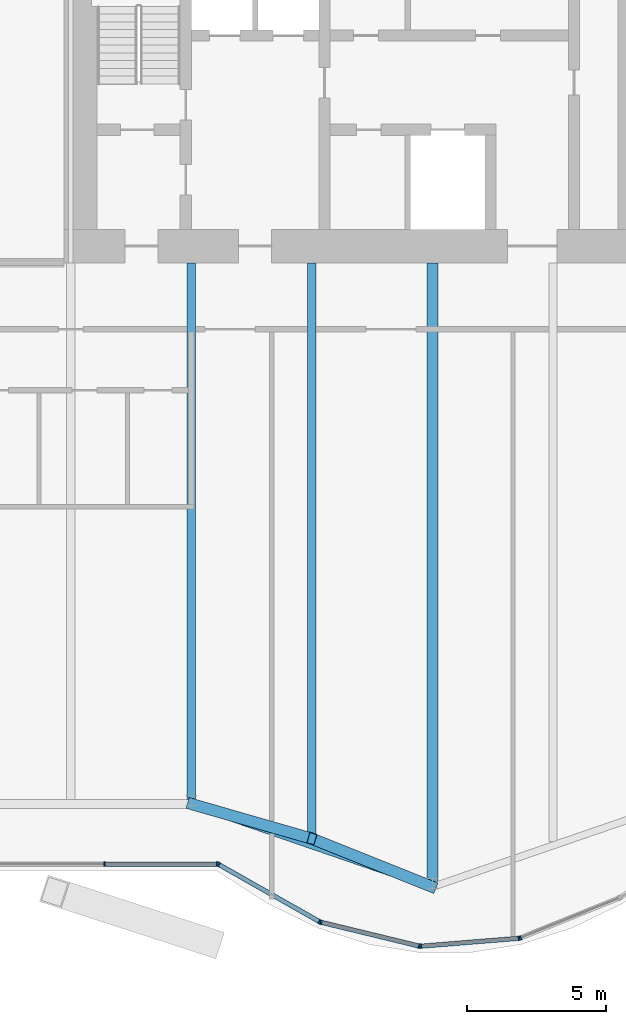
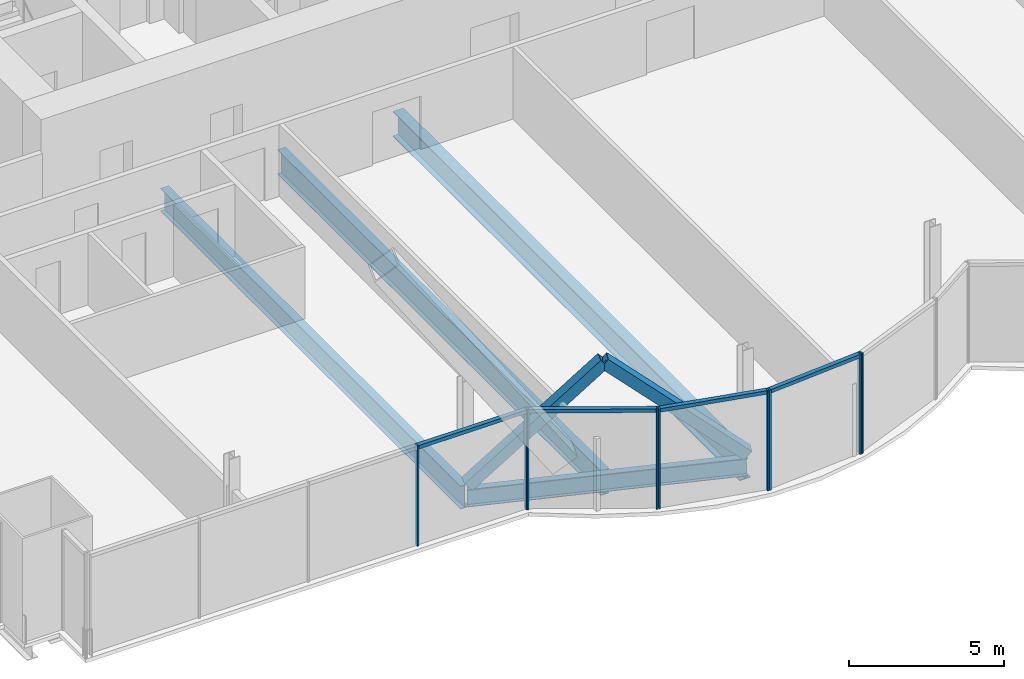
# One storey, part 7 of 24: 15 members, 4 beams, 2 elements without a shape of their own.
"""IFC4 building model written with IfcOpenShell, lengths in metres."""

from ifc_helpers import new_model, si_unit, direction, frame, origin, origin_2d, place, context, subcontext, project, spatial, rectangle, hollow_rectangle, i_section, extrude, material, material_profile, profile_set, type_object, element, aggregate, save


model = new_model("IFC4")

# Units and contexts
model_context = context("Model", 3, precision=1e-05, world=origin(), true_north=direction((0.0, 1.0)))
body_context = subcontext(model_context, "Body", "Model", "MODEL_VIEW")
ifc_project = project(units=[si_unit("LENGTHUNIT", "METRE"), si_unit("AREAUNIT", "SQUARE_METRE"), si_unit("VOLUMEUNIT", "CUBIC_METRE"), si_unit("PLANEANGLEUNIT", "RADIAN"), si_unit("MASSUNIT", "GRAM", prefix="KILO")], contexts=[model_context])

# Site, building, storey
site_placement = place(None, origin())
site = spatial("IfcSite", under=ifc_project, at=site_placement, CompositionType="ELEMENT")
building_placement = place(site_placement, origin())
building = spatial("IfcBuilding", under=site, at=building_placement, Name="Bicima Exchange Tower", CompositionType="ELEMENT")
storey_placement = place(building_placement, frame((0.0, 0.0, 160.89990234375)))
storey = spatial("IfcBuildingStorey", under=building, at=storey_placement, Name="L35", CompositionType="ELEMENT", Elevation=160.89990234375)

# Beams
ifc_material_1 = material(Name="Steel ASTM A992 Gr 50", Category="steel")
ifc_material_profile_1 = material_profile(ifc_material_1, i_section(OverallWidth=0.3046875, OverallDepth=0.904296875, WebThickness=0.01513671875, FlangeThickness=0.02001953125, at=origin_2d()))
ifc_profile_set_1 = profile_set([ifc_material_profile_1], Name="Steel ASTM A992 Gr 50")
beam_type_1 = type_object("IfcBeamType", Name="Floor beam W36x135", PredefinedType="JOIST", material=ifc_profile_set_1)
beam_1_placement = place(storey_placement, frame((-17.39990234375, -13.0, -0.60205078125), z_axis=(0.0, -1.0, 0.0), x_axis=(1.0, 0.0, 0.0)))
element("IfcBeam", 1, at=beam_1_placement, inside=storey, type_object=beam_type_1, Name="Floor beam", PredefinedType="JOIST", context=body_context, shape_type="SweptSolid", body=[
    extrude(i_section(OverallWidth=0.3046875, OverallDepth=0.904296875, WebThickness=0.01513671875, FlangeThickness=0.02001953125, at=origin_2d()), origin(), (0.0, 0.0, 1.0), 19.361328125),
])
ifc_material_profile_2 = material_profile(ifc_material_1, i_section(OverallWidth=0.2998046875, OverallDepth=0.97021484375, WebThickness=0.01611328125, FlangeThickness=0.02099609375, at=origin_2d()))
ifc_profile_set_2 = profile_set([ifc_material_profile_2], Name="Steel ASTM A992 Gr 50")
beam_type_2 = type_object("IfcBeamType", Name="Floor beam W40x149", PredefinedType="JOIST", material=ifc_profile_set_2)
beam_2_placement = place(storey_placement, frame((-13.050048828125, -13.0, -0.635009765625), z_axis=(0.0, -1.0, 0.0), x_axis=(1.0, 0.0, 0.0)))
element("IfcBeam", 2, at=beam_2_placement, inside=storey, type_object=beam_type_2, Name="Floor beam", PredefinedType="JOIST", context=body_context, shape_type="SweptSolid", body=[
    extrude(i_section(OverallWidth=0.2998046875, OverallDepth=0.97021484375, WebThickness=0.01611328125, FlangeThickness=0.02099609375, at=origin_2d()), origin(), (0.0, 0.0, 1.0), 20.8837890625),
])
ifc_material_profile_3 = material_profile(ifc_material_1, i_section(OverallWidth=0.4013671875, OverallDepth=0.990478515625, WebThickness=0.0166015625, FlangeThickness=0.031005859375, at=origin_2d()))
ifc_profile_set_3 = profile_set([ifc_material_profile_3], Name="Steel ASTM A992 Gr 50")
beam_type_3 = type_object("IfcBeamType", Name="Floor beam W40x215", PredefinedType="JOIST", material=ifc_profile_set_3)
beam_3_placement = place(storey_placement, frame((-8.699951171875, -13.0, -0.645263671875), z_axis=(0.0, -1.0, 0.0), x_axis=(1.0, 0.0, 0.0)))
element("IfcBeam", 3, at=beam_3_placement, inside=storey, type_object=beam_type_3, Name="Floor beam", PredefinedType="JOIST", context=body_context, shape_type="SweptSolid", body=[
    extrude(i_section(OverallWidth=0.4013671875, OverallDepth=0.990478515625, WebThickness=0.0166015625, FlangeThickness=0.031005859375, at=origin_2d()), origin(), (0.0, 0.0, 1.0), 22.37939453125),
])
ifc_material_profile_4 = material_profile(ifc_material_1, i_section(OverallWidth=0.256591796875, OverallDepth=0.693359375, WebThickness=0.014404296875, FlangeThickness=0.023681640625, at=origin_2d()))
ifc_profile_set_4 = profile_set([ifc_material_profile_4], Name="Steel ASTM A992 Gr 50")
beam_type_4 = type_object("IfcBeamType", Name="Front girder W27x114", PredefinedType="BEAM", material=ifc_profile_set_4)
beam_4_placement = place(storey_placement, frame((-17.39990234375, -32.52392578125, -0.49658203125), z_axis=(0.945666456746, -0.325138359143, 0.0), x_axis=(0.325138359143, 0.945666456746, 0.0)))
element("IfcBeam", 4, at=beam_4_placement, inside=storey, type_object=beam_type_4, Name="Front girder", PredefinedType="BEAM", context=body_context, shape_type="SweptSolid", body=[
    extrude(i_section(OverallWidth=0.256591796875, OverallDepth=0.693359375, WebThickness=0.014404296875, FlangeThickness=0.023681640625, at=origin_2d()), origin(), (0.0, 0.0, 1.0), 9.19970703125),
])

# Curtain wall, members
ifc_material_2 = material(Name="Anodised bronze aluminium", Category="aluminium")
curtain_wall_type = type_object("IfcCurtainWallType", Name="Front glass wall", PredefinedType="NOTDEFINED", material=ifc_material_2)
curtain_wall_1_placement = place(storey_placement, origin())
curtain_wall_1 = element("IfcCurtainWall", 5, at=curtain_wall_1_placement, inside=storey, type_object=curtain_wall_type, Name="Front glass wall L35 run 5", PredefinedType="NOTDEFINED")
ifc_material_profile_5 = material_profile(ifc_material_2, rectangle(XDim=0.159912109375, YDim=0.06005859375, at=origin_2d()))
ifc_profile_set_5 = profile_set([ifc_material_profile_5], Name="Anodised bronze aluminium")
member_type_1 = type_object("IfcMemberType", Name="Front glass wall mullion 60 x 160", PredefinedType="MULLION", material=ifc_profile_set_5)
member_1_placement = place(storey_placement, frame((-20.531494140625, -34.694091796875, 0.0), z_axis=(0.0, 0.0, 1.0), x_axis=(0.0, 1.0, 0.0)))
member_1 = element("IfcMember", 6, at=member_1_placement, type_object=member_type_1, Name="Front glass wall mullion 4", PredefinedType="MULLION", context=body_context, shape_type="SweptSolid", body=[
    extrude(rectangle(XDim=0.159912109375, YDim=0.06005859375, at=origin_2d()), origin(), (0.0, 0.0, 1.0), 3.9501953125),
])
member_2_placement = place(storey_placement, frame((-16.462158203125, -34.694091796875, 0.0), z_axis=(0.0, 0.0, 1.0), x_axis=(0.0, 1.0, 0.0)))
member_2 = element("IfcMember", 7, at=member_2_placement, type_object=member_type_1, Name="Front glass wall mullion 5", PredefinedType="MULLION", context=body_context, shape_type="SweptSolid", body=[
    extrude(rectangle(XDim=0.159912109375, YDim=0.06005859375, at=origin_2d()), origin(), (0.0, 0.0, 1.0), 3.9501953125),
])

curtain_wall_2_placement = place(storey_placement, origin())
curtain_wall_2 = element("IfcCurtainWall", 8, at=curtain_wall_2_placement, inside=storey, type_object=curtain_wall_type, Name="Front glass wall L35 run 6", PredefinedType="NOTDEFINED")
member_3_placement = place(storey_placement, frame((-16.406005859375, -34.708740234375, 0.0), z_axis=(0.0, 0.0, 1.0), x_axis=(0.493395449343, 0.869805110681, 0.0)))
member_3 = element("IfcMember", 9, at=member_3_placement, type_object=member_type_1, Name="Front glass wall mullion 1", PredefinedType="MULLION", context=body_context, shape_type="SweptSolid", body=[
    extrude(rectangle(XDim=0.159912109375, YDim=0.06005859375, at=origin_2d()), origin(), (0.0, 0.0, 1.0), 3.9501953125),
])
member_4_placement = place(storey_placement, frame((-12.7734375, -36.769287109375, 0.0), z_axis=(0.0, 0.0, 1.0), x_axis=(0.493395449343, 0.869805110681, 0.0)))
member_4 = element("IfcMember", 10, at=member_4_placement, type_object=member_type_1, Name="Front glass wall mullion 2", PredefinedType="MULLION", context=body_context, shape_type="SweptSolid", body=[
    extrude(rectangle(XDim=0.159912109375, YDim=0.06005859375, at=origin_2d()), origin(), (0.0, 0.0, 1.0), 3.9501953125),
])
member_5_placement = place(storey_placement, frame((-12.718017578125, -36.791259765625, 0.0), z_axis=(0.0, 0.0, 1.0), x_axis=(0.235681529503, 0.971830343553, 0.0)))
member_5 = element("IfcMember", 11, at=member_5_placement, type_object=member_type_1, Name="Front glass wall mullion 1", PredefinedType="MULLION", context=body_context, shape_type="SweptSolid", body=[
    extrude(rectangle(XDim=0.159912109375, YDim=0.06005859375, at=origin_2d()), origin(), (0.0, 0.0, 1.0), 3.9501953125),
])
member_6_placement = place(storey_placement, frame((-9.177490234375, -37.64990234375, 0.0), z_axis=(0.0, 0.0, 1.0), x_axis=(0.235681529503, 0.971830343553, 0.0)))
member_6 = element("IfcMember", 12, at=member_6_placement, type_object=member_type_1, Name="Front glass wall mullion 2", PredefinedType="MULLION", context=body_context, shape_type="SweptSolid", body=[
    extrude(rectangle(XDim=0.159912109375, YDim=0.06005859375, at=origin_2d()), origin(), (0.0, 0.0, 1.0), 3.9501953125),
])
member_7_placement = place(storey_placement, frame((-9.118408203125, -37.654541015625, 0.0), z_axis=(0.0, 0.0, 1.0), x_axis=(-0.080588612633, 0.99674744821, 0.0)))
member_7 = element("IfcMember", 13, at=member_7_placement, type_object=member_type_1, Name="Front glass wall mullion 1", PredefinedType="MULLION", context=body_context, shape_type="SweptSolid", body=[
    extrude(rectangle(XDim=0.159912109375, YDim=0.06005859375, at=origin_2d()), origin(), (0.0, 0.0, 1.0), 3.9501953125),
])
member_8_placement = place(storey_placement, frame((-5.583984375, -37.368896484375, 0.0), z_axis=(0.0, 0.0, 1.0), x_axis=(-0.080588612633, 0.99674744821, 0.0)))
member_8 = element("IfcMember", 14, at=member_8_placement, type_object=member_type_1, Name="Front glass wall mullion 2", PredefinedType="MULLION", context=body_context, shape_type="SweptSolid", body=[
    extrude(rectangle(XDim=0.159912109375, YDim=0.06005859375, at=origin_2d()), origin(), (0.0, 0.0, 1.0), 3.9501953125),
])
member_9_placement = place(storey_placement, frame((-5.526123046875, -37.355224609375, 0.0), z_axis=(0.0, 0.0, 1.0), x_axis=(-0.374705304, 0.92714396679, 0.0)))
member_9 = element("IfcMember", 15, at=member_9_placement, type_object=member_type_1, Name="Front glass wall mullion 1", PredefinedType="MULLION", context=body_context, shape_type="SweptSolid", body=[
    extrude(rectangle(XDim=0.159912109375, YDim=0.06005859375, at=origin_2d()), origin(), (0.0, 0.0, 1.0), 3.9501953125),
])

# Member
ifc_material_profile_6 = material_profile(ifc_material_2, rectangle(XDim=0.159912109375, YDim=0.139892578125, at=origin_2d()))
ifc_profile_set_6 = profile_set([ifc_material_profile_6], Name="Anodised bronze aluminium")
member_type_2 = type_object("IfcMemberType", Name="Front glass wall transom 140 x 160", PredefinedType="USERDEFINED", material=ifc_profile_set_6)
member_10_placement = place(storey_placement, frame((-20.501708984375, -34.694091796875, 3.880126953125), z_axis=(1.0, 0.0, 0.0), x_axis=(0.0, 1.0, 0.0)))
member_10 = element("IfcMember", 16, at=member_10_placement, type_object=member_type_2, Name="Front glass wall transom 4.1", ObjectType="TRANSOM", PredefinedType="USERDEFINED", context=body_context, shape_type="SweptSolid", body=[
    extrude(rectangle(XDim=0.159912109375, YDim=0.139892578125, at=origin_2d()), origin(), (0.0, 0.0, 1.0), 4.009521484375),
])

aggregate(curtain_wall_1, [member_1, member_2, member_10])

member_11_placement = place(storey_placement, frame((-16.3798828125, -34.7236328125, 3.880126953125), z_axis=(0.869797371721, -0.49340909208, 0.0), x_axis=(0.49340909208, 0.869797371721, 0.0)))
member_11 = element("IfcMember", 17, at=member_11_placement, type_object=member_type_2, Name="Front glass wall transom 1.1", ObjectType="TRANSOM", PredefinedType="USERDEFINED", context=body_context, shape_type="SweptSolid", body=[
    extrude(rectangle(XDim=0.159912109375, YDim=0.139892578125, at=origin_2d()), origin(), (0.0, 0.0, 1.0), 4.1162109375),
])

member_12_placement = place(storey_placement, frame((-12.68896484375, -36.79833984375, 3.880126953125), z_axis=(0.971833557815, -0.235668275132, 0.0), x_axis=(0.235668275132, 0.971833557815, 0.0)))
member_12 = element("IfcMember", 18, at=member_12_placement, type_object=member_type_2, Name="Front glass wall transom 1.1", ObjectType="TRANSOM", PredefinedType="USERDEFINED", context=body_context, shape_type="SweptSolid", body=[
    extrude(rectangle(XDim=0.159912109375, YDim=0.139892578125, at=origin_2d()), origin(), (0.0, 0.0, 1.0), 3.583251953125),
])

member_13_placement = place(storey_placement, frame((-9.08837890625, -37.652099609375, 3.880126953125), z_axis=(0.9967456465, 0.080610893699, 0.0), x_axis=(-0.080610893699, 0.9967456465, 0.0)))
member_13 = element("IfcMember", 19, at=member_13_placement, type_object=member_type_2, Name="Front glass wall transom 1.1", ObjectType="TRANSOM", PredefinedType="USERDEFINED", context=body_context, shape_type="SweptSolid", body=[
    extrude(rectangle(XDim=0.159912109375, YDim=0.139892578125, at=origin_2d()), origin(), (0.0, 0.0, 1.0), 3.48583984375),
])

aggregate(curtain_wall_2, [member_3, member_4, member_11, member_5, member_6, member_12, member_7, member_8, member_13, member_9])

# Members
ifc_material_3 = material(Name="Steel ASTM A572 Gr 50", Category="steel")
ifc_material_profile_7 = material_profile(ifc_material_3, hollow_rectangle(XDim=0.406494140625, YDim=0.406494140625, WallThickness=0.017822265625, at=origin_2d()))
ifc_profile_set_7 = profile_set([ifc_material_profile_7], Name="Steel ASTM A572 Gr 50")
member_type_3 = type_object("IfcMemberType", Name="Mega brace HSS16x16x3/4", PredefinedType="BRACE", material=ifc_profile_set_7)
member_14_placement = place(storey_placement, frame((-17.39990234375, -32.52392578125, 0.0), z_axis=(0.71224719859, -0.204915481842, 0.671352048781), x_axis=(0.27648739579, 0.961017544049, 0.0)))
element("IfcMember", 20, at=member_14_placement, inside=storey, type_object=member_type_3, Name="Mega brace front", PredefinedType="BRACE", context=body_context, shape_type="SweptSolid", body=[
    extrude(hollow_rectangle(XDim=0.406494140625, YDim=0.406494140625, WallThickness=0.017822265625, at=origin_2d()), origin(), (0.0, 0.0, 1.0), 6.107177734375),
])
member_15_placement = place(storey_placement, frame((-8.699951171875, -35.51513671875, 0.0), z_axis=(-0.698718538106, 0.279440358208, 0.65856320176), x_axis=(-0.3713367687, -0.928498252132, 0.0)))
element("IfcMember", 21, at=member_15_placement, inside=storey, type_object=member_type_3, Name="Mega brace front", PredefinedType="BRACE", context=body_context, shape_type="SweptSolid", body=[
    extrude(hollow_rectangle(XDim=0.406494140625, YDim=0.406494140625, WallThickness=0.017822265625, at=origin_2d()), origin(), (0.0, 0.0, 1.0), 6.225830078125),
])

save(model, "model.ifc")
